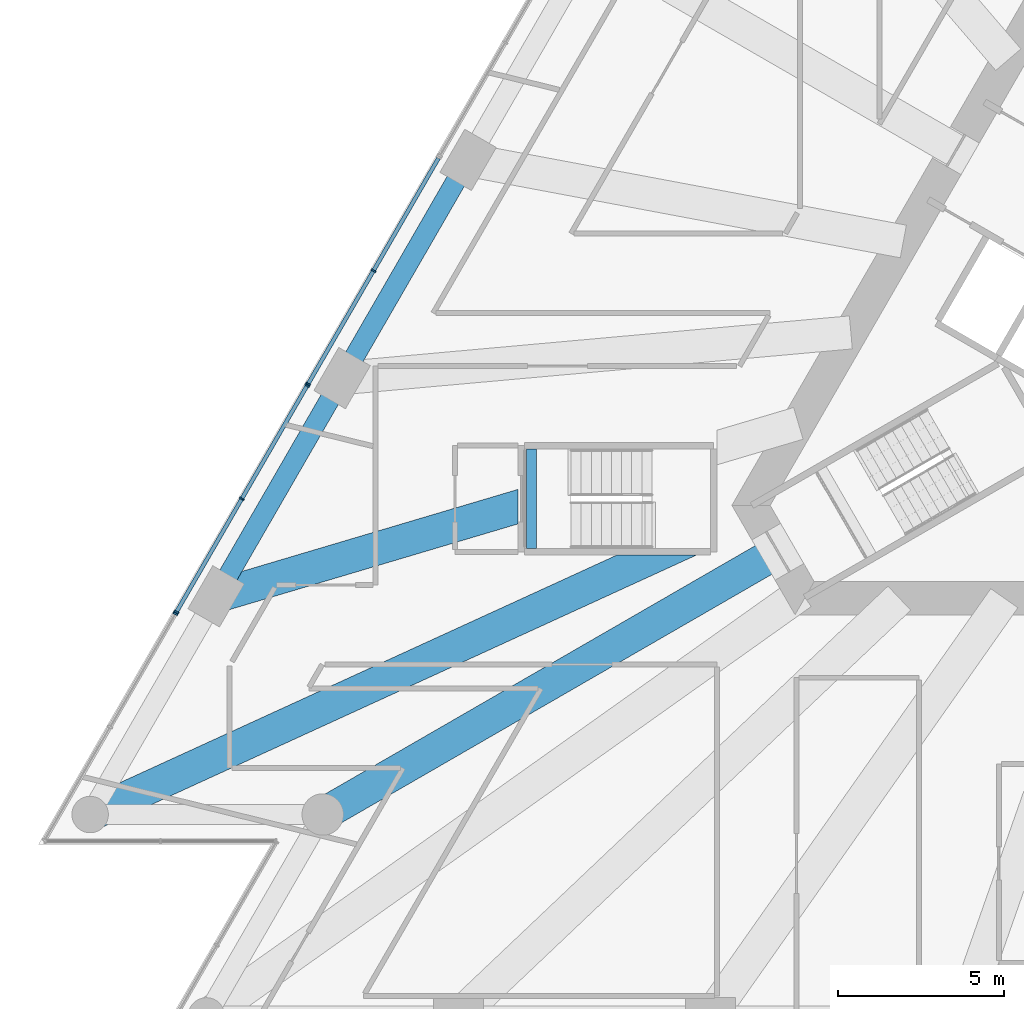
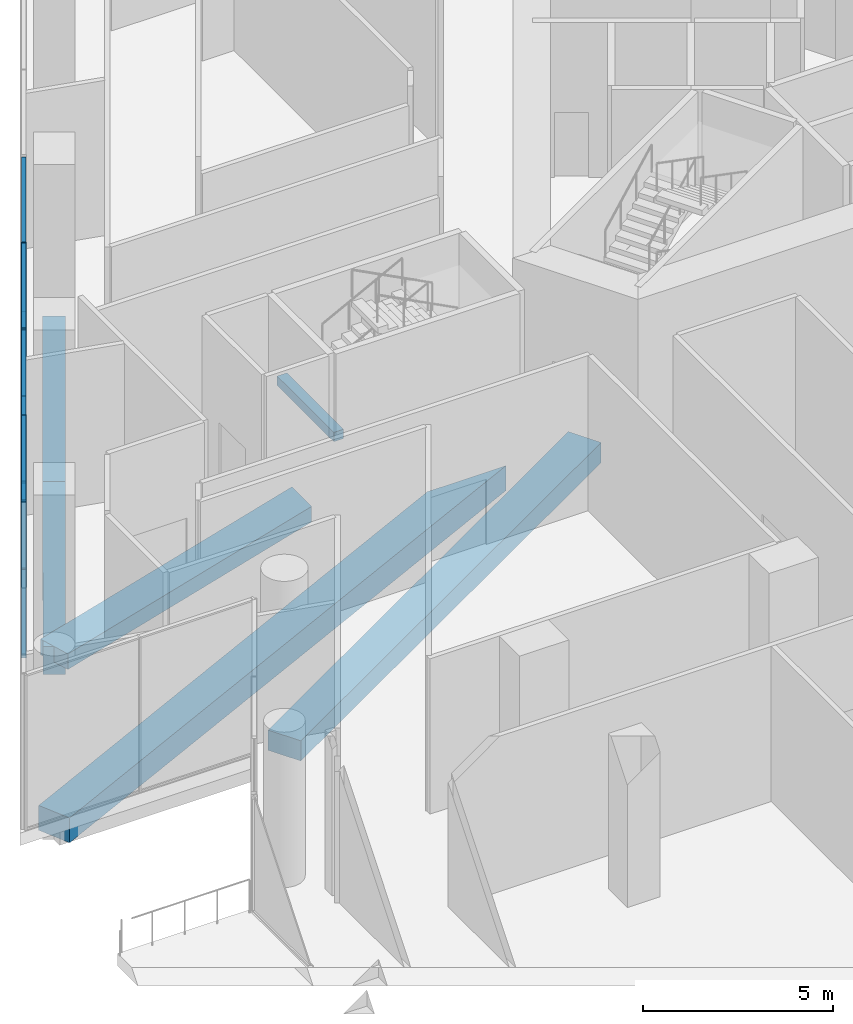
# One storey, part 9 of 32: 14 members, 6 beams, 3 elements without a shape of their own.
"""IFC4 building model written with IfcOpenShell, lengths in metres."""

import ifcopenshell
import ifcopenshell.guid

model = None  # the IFC model being written
_history = None  # IfcOwnerHistory: only IFC2X3 demands one
_inside = {}  # id of a spatial element -> (the spatial element, [elements in it])
_under = {}  # id of a project, library or spatial element -> (it, [spatial elements below it])
_declared = {}  # id of a project -> (the project, [libraries it declares])
_typed = {}  # id of a type object -> (the type object, [elements of that type])
_made_of = {}  # id of a material, layer set ... -> (it, [elements and type objects made of it])


def new_model(schema):
    """Start an empty IFC model of exactly this schema.

    Asked for "IFC4X3", IfcOpenShell would pick the latest addendum, in which some entities
    have other attributes; the version numbers below select the first issue.
    IFC2X3 requires an IfcOwnerHistory on every rooted entity: one is made here for all.
    """
    global model, _history
    if schema == "IFC4X3":
        model = ifcopenshell.file(schema_version=(4, 3, 0, 0))
    else:
        model = ifcopenshell.file(schema=schema)
    _inside.clear()
    _under.clear()
    _declared.clear()
    _typed.clear()
    _made_of.clear()
    _history = None
    if model.schema == "IFC2X3":
        org = make("IfcOrganization", Name="unknown")
        user = make(
            "IfcPersonAndOrganization",
            ThePerson=make("IfcPerson", FamilyName="unknown"),
            TheOrganization=org,
        )
        app = make(
            "IfcApplication",
            ApplicationDeveloper=org,
            Version="unknown",
            ApplicationFullName="unknown",
            ApplicationIdentifier="unknown",
        )
        _history = make(
            "IfcOwnerHistory",
            OwningUser=user,
            OwningApplication=app,
            ChangeAction="ADDED",
            CreationDate=0,
        )
    return model


def make(cls, **values):
    """One entity of the class cls with the attributes given. An attribute that is None is left unset."""
    return model.create_entity(
        cls, **{name: value for name, value in values.items() if value is not None}
    )


def rooted(cls, **values):
    """An entity with a GlobalId (a new one), such as an element, a storey or a relation."""
    return make(cls, GlobalId=ifcopenshell.guid.new(), OwnerHistory=_history, **values)


def si_unit(unit_type, name, prefix=None):
    """IfcSIUnit, for example si_unit("LENGTHUNIT", "METRE", prefix="MILLI")."""
    return make("IfcSIUnit", UnitType=unit_type, Prefix=prefix, Name=name)


def assignment(units):
    """IfcUnitAssignment: the units of a project."""
    return None if units is None else make("IfcUnitAssignment", Units=units)


def point(xyz):
    """IfcCartesianPoint."""
    return None if xyz is None else make("IfcCartesianPoint", Coordinates=xyz)


def direction(xyz):
    """IfcDirection."""
    return None if xyz is None else make("IfcDirection", DirectionRatios=xyz)


def frame(location, z_axis=None, x_axis=None):
    """IfcAxis2Placement3D, a coordinate frame: its origin and axes. An axis left out is left unset."""
    return make(
        "IfcAxis2Placement3D",
        Location=point(location),
        Axis=direction(z_axis),
        RefDirection=direction(x_axis),
    )


def frame_2d(location, x_axis=None):
    """IfcAxis2Placement2D, a coordinate frame in the plane: its origin and x axis."""
    return make(
        "IfcAxis2Placement2D", Location=point(location), RefDirection=direction(x_axis)
    )


def origin():
    """The frame at (0, 0, 0) with its axes left unset."""
    return frame((0.0, 0.0, 0.0))


def origin_2d():
    """The frame at (0, 0) in the plane with its x axis left unset."""
    return frame_2d((0.0, 0.0))


def place(relative_to, where):
    """IfcLocalPlacement: puts the frame where relative to a parent placement (None: the world)."""
    return make(
        "IfcLocalPlacement", PlacementRelTo=relative_to, RelativePlacement=where
    )


def context(
    kind, dimensions, precision=None, world=None, true_north=None, identifier=None
):
    """IfcGeometricRepresentationContext, for example the 3D "Model" context."""
    return make(
        "IfcGeometricRepresentationContext",
        ContextIdentifier=identifier,
        ContextType=kind,
        CoordinateSpaceDimension=dimensions,
        Precision=precision,
        WorldCoordinateSystem=world,
        TrueNorth=true_north,
    )


def subcontext(parent, identifier, kind, view, scale=None):
    """IfcGeometricRepresentationSubContext, for example "Body" below "Model"."""
    return make(
        "IfcGeometricRepresentationSubContext",
        ContextIdentifier=identifier,
        ContextType=kind,
        ParentContext=parent,
        TargetScale=scale,
        TargetView=view,
    )


def project(units=None, contexts=None):
    """IfcProject with its units and contexts."""
    return rooted(
        "IfcProject",
        Name="project",
        RepresentationContexts=contexts,
        UnitsInContext=assignment(units),
    )


def spatial(cls, under=None, at=None, **own):
    """A site, building, storey or space (cls), placed at a placement, below another one or the project."""
    s = rooted(cls, ObjectPlacement=at, **own)
    if under is not None:
        _under.setdefault(under.id(), (under, []))[1].append(s)
    return s


def profile(cls, at=None, kind="AREA", **sizes):
    """A parametric profile (cls). Its sizes go by their IFC names, for example OverallWidth=200.0."""
    return make(cls, ProfileType=kind, Position=at, **sizes)


def rectangle(**sizes):
    """IfcRectangleProfileDef."""
    return profile("IfcRectangleProfileDef", **sizes)


def extrude(swept, where, along, depth):
    """IfcExtrudedAreaSolid: the profile swept, set in the frame where, extruded along a direction by depth."""
    return make(
        "IfcExtrudedAreaSolid",
        SweptArea=swept,
        Position=where,
        ExtrudedDirection=direction(along),
        Depth=depth,
    )


def clip(a, b, op="DIFFERENCE"):
    """IfcBooleanClippingResult: the solid a cut by the half space b."""
    return make(
        "IfcBooleanClippingResult", Operator=op, FirstOperand=a, SecondOperand=b
    )


def halfspace(plane, agree):
    """IfcHalfSpaceSolid: all space on one side of the plane z = 0 of the frame plane."""
    return make(
        "IfcHalfSpaceSolid",
        BaseSurface=make("IfcPlane", Position=plane),
        AgreementFlag=agree,
    )


def shape(context_of_items, identifier, shape_type, items):
    """IfcShapeRepresentation: the items that make up one representation, for example the "Body"."""
    return make(
        "IfcShapeRepresentation",
        ContextOfItems=context_of_items,
        RepresentationIdentifier=identifier,
        RepresentationType=shape_type,
        Items=items,
    )


def material(Name=None, Category=None):
    """IfcMaterial."""
    return make("IfcMaterial", Name=Name, Category=Category)


def layer(
    of_material, thickness, ventilated=None, Name=None, Category=None, Priority=None
):
    """IfcMaterialLayer: one layer of a wall or slab, of a material (None: an air gap)."""
    return make(
        "IfcMaterialLayer",
        Material=of_material,
        LayerThickness=thickness,
        IsVentilated=ventilated,
        Name=Name,
        Category=Category,
        Priority=Priority,
    )


def layer_set(layers, Name=None):
    """IfcMaterialLayerSet."""
    return make("IfcMaterialLayerSet", MaterialLayers=layers, LayerSetName=Name)


def material_profile(
    of_material, cross_section, Name=None, Category=None, Priority=None
):
    """IfcMaterialProfile: a cross section and its material."""
    return make(
        "IfcMaterialProfile",
        Name=Name,
        Material=of_material,
        Profile=cross_section,
        Priority=Priority,
        Category=Category,
    )


def profile_set(profiles, Name=None, composite=None):
    """IfcMaterialProfileSet."""
    return make(
        "IfcMaterialProfileSet",
        Name=Name,
        MaterialProfiles=profiles,
        CompositeProfile=composite,
    )


def made_of(thing, what):
    """Note that an element or type object is made of a material, layer set ...; save() writes the relation."""
    if what is not None:
        _made_of.setdefault(what.id(), (what, []))[1].append(thing)
    return thing


def type_object(cls, material=None, **own):
    """A type object (cls), such as IfcWallType, which elements share."""
    return made_of(rooted(cls, **own), material)


def element(
    cls,
    number,
    at=None,
    inside=None,
    cuts=None,
    type_object=None,
    material=None,
    context=None,
    identifier="Body",
    shape_type=None,
    held_by="IfcProductDefinitionShape",
    body=None,
    shapes=None,
    **own,
):
    """One element of the class cls, such as IfcWall. Its Tag is "e" and its number.

    at: its placement. inside: the storey or other place that contains it. cuts: it is an
    opening in that element (IfcRelVoidsElement). A single representation is given by context,
    identifier, shape_type and body (its items); several are given by shapes. held_by: the class
    of the entity that holds the representations. save() writes the other relations.
    """
    e = rooted(cls, Tag="e%d" % number, ObjectPlacement=at, **own)
    if body is not None:
        shapes = [shape(context, identifier, shape_type, body)]
    if shapes is not None:
        e.Representation = make(held_by, Representations=shapes)
    if inside is not None:
        _inside.setdefault(inside.id(), (inside, []))[1].append(e)
    if cuts is not None:
        rooted(
            "IfcRelVoidsElement", RelatingBuildingElement=cuts, RelatedOpeningElement=e
        )
    if type_object is not None:
        _typed.setdefault(type_object.id(), (type_object, []))[1].append(e)
    return made_of(e, material)


def aggregate(whole, parts):
    """IfcRelAggregates: a whole, such as a stair, and the parts it consists of."""
    return rooted("IfcRelAggregates", RelatingObject=whole, RelatedObjects=parts)


def save(model, path):
    """Write the relations noted so far, then the file.

    IfcRelAggregates (storeys below a building ...), IfcRelContainedInSpatialStructure (elements
    in a storey), IfcRelDefinesByType, IfcRelAssociatesMaterial and IfcRelDeclares: one each for
    every whole, place, type object, material and project.
    """
    for whole, parts in _under.values():
        aggregate(whole, parts)
    for where, things in _inside.values():
        rooted(
            "IfcRelContainedInSpatialStructure",
            RelatedElements=things,
            RelatingStructure=where,
        )
    for kind, things in _typed.values():
        rooted("IfcRelDefinesByType", RelatedObjects=things, RelatingType=kind)
    for what, things in _made_of.values():
        rooted("IfcRelAssociatesMaterial", RelatedObjects=things, RelatingMaterial=what)
    for by, libraries in _declared.values():
        rooted("IfcRelDeclares", RelatingContext=by, RelatedDefinitions=libraries)
    model.write(path)


model = new_model("IFC4")

# Units and contexts
model_context = context("Model", 3, precision=1e-05, world=origin(), true_north=direction((0.0, 1.0)))
body_context = subcontext(model_context, "Body", "Model", "MODEL_VIEW")
ifc_project = project(units=[si_unit("LENGTHUNIT", "METRE"), si_unit("AREAUNIT", "SQUARE_METRE"), si_unit("VOLUMEUNIT", "CUBIC_METRE"), si_unit("PLANEANGLEUNIT", "RADIAN"), si_unit("MASSUNIT", "GRAM", prefix="KILO")], contexts=[model_context])

# Site, building, storey
site_placement = place(None, origin())
site = spatial("IfcSite", under=ifc_project, at=site_placement, CompositionType="ELEMENT")
building_placement = place(site_placement, origin())
building = spatial("IfcBuilding", under=site, at=building_placement, Name="Triada Interchange Tower", CompositionType="ELEMENT")
storey_placement = place(building_placement, frame((0.0, 0.0, 14.5)))
storey = spatial("IfcBuildingStorey", under=building, at=storey_placement, Name="L02", CompositionType="ELEMENT", Elevation=14.5)

# Beam
ifc_material_1 = material(Name="Concrete C35/45", Category="concrete")
ifc_material_profile_1 = material_profile(ifc_material_1, rectangle(XDim=0.300048828125, YDim=0.300048828125, at=origin_2d()), Name="RC 300x300")
ifc_profile_set_1 = profile_set([ifc_material_profile_1], Name="Concrete C35/45")
beam_type_1 = type_object("IfcBeamType", Name="Landing support beam RC 300x300", PredefinedType="BEAM", material=ifc_profile_set_1)
beam_1_placement = place(storey_placement, frame((-20.60009765625, -4.5, 2.191162109375), z_axis=(0.0, -1.0, 0.0), x_axis=(1.0, 0.0, 0.0)))
element("IfcBeam", 1, at=beam_1_placement, inside=storey, type_object=beam_type_1, Name="Landing support beam S02-6 1", PredefinedType="BEAM", context=body_context, shape_type="SweptSolid", body=[
    extrude(rectangle(XDim=0.300048828125, YDim=0.300048828125, at=origin_2d()), origin(), (0.0, 0.0, 1.0), 3.0),
])

# Curtain wall, members
ifc_material_2 = material(Name="Aluminium framed glazing", Category="aluminium")
ifc_layer = layer(ifc_material_2, 0.199951171875)
ifc_layer_set = layer_set([ifc_layer], Name="Curtain wall Retail shopfront")
curtain_wall_type = type_object("IfcCurtainWallType", Name="Curtain wall Retail shopfront", PredefinedType="NOTDEFINED", material=ifc_layer_set)
curtain_wall_1_placement = place(storey_placement, origin())
curtain_wall_1 = element("IfcCurtainWall", 2, at=curtain_wall_1_placement, inside=storey, type_object=curtain_wall_type, Name="Retail shopfront CW028 L02", PredefinedType="NOTDEFINED")
ifc_material_3 = material(Name="Aluminium", Category="aluminium")
ifc_material_profile_2 = material_profile(ifc_material_3, rectangle(XDim=0.14990234375, YDim=0.050048828125, at=origin_2d()), Name="Aluminium mullion")
ifc_profile_set_2 = profile_set([ifc_material_profile_2], Name="Aluminium")
member_type_1 = type_object("IfcMemberType", Name="Mullion Retail shopfront 150x50", PredefinedType="MULLION", material=ifc_profile_set_2)
member_1_placement = place(storey_placement, frame((-25.3583984375, 0.8779296875, 0.0), z_axis=(0.0, 0.0, 1.0), x_axis=(0.866055473648, -0.499947913852, 0.0)))
member_1 = element("IfcMember", 3, at=member_1_placement, type_object=member_type_1, Name="CW028 mullion 2", PredefinedType="MULLION", context=body_context, shape_type="SweptSolid", body=[
    extrude(rectangle(XDim=0.14990234375, YDim=0.050048828125, at=origin_2d()), origin(), (0.0, 0.0, 1.0), 5.0),
])
member_2_placement = place(storey_placement, frame((-27.32958984375, -2.536376953125, 0.0), z_axis=(0.0, 0.0, 1.0), x_axis=(0.866055473648, -0.499947913852, 0.0)))
member_2 = element("IfcMember", 4, at=member_2_placement, type_object=member_type_1, Name="CW028 mullion 3", PredefinedType="MULLION", context=body_context, shape_type="SweptSolid", body=[
    extrude(rectangle(XDim=0.14990234375, YDim=0.050048828125, at=origin_2d()), origin(), (0.0, 0.0, 1.0), 5.0),
])

curtain_wall_2_placement = place(storey_placement, origin())
curtain_wall_2 = element("IfcCurtainWall", 5, at=curtain_wall_2_placement, inside=storey, type_object=curtain_wall_type, Name="Retail shopfront CW029 L02", PredefinedType="NOTDEFINED")
member_3_placement = place(storey_placement, frame((-27.360595703125, -2.588623046875, 0.0), z_axis=(0.0, 0.0, 1.0), x_axis=(0.866055473648, -0.499947913852, 0.0)))
member_3 = element("IfcMember", 6, at=member_3_placement, type_object=member_type_1, Name="CW029 mullion 1", PredefinedType="MULLION", context=body_context, shape_type="SweptSolid", body=[
    extrude(rectangle(XDim=0.14990234375, YDim=0.050048828125, at=origin_2d()), origin(), (0.0, 0.0, 1.0), 5.0),
])
member_4_placement = place(storey_placement, frame((-29.33154296875, -6.0029296875, 0.0), z_axis=(0.0, 0.0, 1.0), x_axis=(0.866055473648, -0.499947913852, 0.0)))
member_4 = element("IfcMember", 7, at=member_4_placement, type_object=member_type_1, Name="CW029 mullion 2", PredefinedType="MULLION", context=body_context, shape_type="SweptSolid", body=[
    extrude(rectangle(XDim=0.14990234375, YDim=0.050048828125, at=origin_2d()), origin(), (0.0, 0.0, 1.0), 5.0),
])
member_5_placement = place(storey_placement, frame((-31.302490234375, -9.417236328125, 0.0), z_axis=(0.0, 0.0, 1.0), x_axis=(0.866055473648, -0.499947913852, 0.0)))
member_5 = element("IfcMember", 8, at=member_5_placement, type_object=member_type_1, Name="CW029 mullion 3", PredefinedType="MULLION", context=body_context, shape_type="SweptSolid", body=[
    extrude(rectangle(XDim=0.14990234375, YDim=0.050048828125, at=origin_2d()), origin(), (0.0, 0.0, 1.0), 5.0),
])

# Curtain wall, member
curtain_wall_3_placement = place(storey_placement, origin())
curtain_wall_3 = element("IfcCurtainWall", 9, at=curtain_wall_3_placement, inside=storey, type_object=curtain_wall_type, Name="Retail shopfront CW030 L02", PredefinedType="NOTDEFINED")
member_6_placement = place(storey_placement, frame((-31.33349609375, -9.4697265625, 0.0), z_axis=(0.0, 0.0, 1.0), x_axis=(0.86604927658, -0.499958648825, 0.0)))
member_6 = element("IfcMember", 10, at=member_6_placement, type_object=member_type_1, Name="CW030 mullion 1", PredefinedType="MULLION", context=body_context, shape_type="SweptSolid", body=[
    extrude(rectangle(XDim=0.14990234375, YDim=0.050048828125, at=origin_2d()), origin(), (0.0, 0.0, 1.0), 5.0),
])
aggregate(curtain_wall_3, [member_6])

# Beams
ifc_material_4 = material(Name="Concrete C50/60", Category="concrete")
ifc_material_profile_3 = material_profile(ifc_material_4, rectangle(XDim=1.0, YDim=0.5, at=origin_2d()), Name="RC 1000x500")
ifc_profile_set_3 = profile_set([ifc_material_profile_3], Name="Concrete C50/60")
beam_type_2 = type_object("IfcBeamType", Name="Radial band beam P RC 1000x500", PredefinedType="BEAM", material=ifc_profile_set_3)
beam_2_placement = place(storey_placement, frame((-30.10498046875, -8.944091796875, -0.64990234375), z_axis=(0.958593857604, 0.284776783049, 0.0), x_axis=(-0.284776783049, 0.958593857604, 0.0)))
element("IfcBeam", 11, at=beam_2_placement, inside=storey, type_object=beam_type_2, Name="Radial band beam BP08A L02", PredefinedType="BEAM", context=body_context, shape_type="Clipping", body=[
    clip(extrude(rectangle(XDim=1.0, YDim=0.5, at=origin_2d()), origin(), (0.0, 0.0, 1.0), 10.998291015625), halfspace(frame((-1.400146484375, -13.85009765625, 9.082275390625), z_axis=(-0.284776783049, 0.0, 0.958593857604), x_axis=(0.0, 1.0, 0.0)), False)),
])
ifc_material_profile_4 = material_profile(ifc_material_4, rectangle(XDim=1.0, YDim=0.64990234375, at=origin_2d()), Name="RC 1000x650")
ifc_profile_set_4 = profile_set([ifc_material_profile_4], Name="Concrete C50/60")
beam_type_3 = type_object("IfcBeamType", Name="Radial band beam P RC 1000x650", PredefinedType="BEAM", material=ifc_profile_set_4)
beam_3_placement = place(storey_placement, frame((-26.889892578125, -15.52490234375, -0.72509765625), z_axis=(0.866020130944, 0.500009132716, 0.0), x_axis=(-0.500009132716, 0.866020130944, 0.0)))
element("IfcBeam", 12, at=beam_3_placement, inside=storey, type_object=beam_type_3, Name="Radial band beam BP10 L02", PredefinedType="BEAM", context=body_context, shape_type="SweptSolid", body=[
    extrude(rectangle(XDim=1.0, YDim=0.64990234375, at=origin_2d()), origin(), (0.0, 0.0, 1.0), 15.849365234375),
])
ifc_material_profile_5 = material_profile(ifc_material_4, rectangle(XDim=1.0, YDim=0.800048828125, at=origin_2d()), Name="RC 1000x800")
ifc_profile_set_5 = profile_set([ifc_material_profile_5], Name="Concrete C50/60")
beam_type_4 = type_object("IfcBeamType", Name="Radial band beam P RC 1000x800", PredefinedType="BEAM", material=ifc_profile_set_5)
beam_4_placement = place(storey_placement, frame((-33.905029296875, -15.52490234375, -0.800048828125), z_axis=(0.909200707798, 0.41635810661, 0.0), x_axis=(-0.41635810661, 0.909200707798, 0.0)))
element("IfcBeam", 13, at=beam_4_placement, inside=storey, type_object=beam_type_4, Name="Radial band beam BP09A L02", PredefinedType="BEAM", context=body_context, shape_type="Clipping", body=[
    clip(extrude(rectangle(XDim=1.0, YDim=0.800048828125, at=origin_2d()), origin(), (0.0, 0.0, 1.0), 20.294921875), halfspace(frame((-0.7568359375, -13.699951171875, 20.446533203125), z_axis=(0.909200707798, 0.0, 0.41635810661), x_axis=(0.0, -1.0, 0.0)), False)),
])
ifc_material_profile_6 = material_profile(ifc_material_4, rectangle(XDim=0.60009765625, YDim=0.89990234375, at=origin_2d()), Name="RC 600x900")
ifc_profile_set_6 = profile_set([ifc_material_profile_6], Name="Concrete C50/60")
beam_type_5 = type_object("IfcBeamType", Name="Spandrel beam P RC 600x900", PredefinedType="BEAM", material=ifc_profile_set_6)
beam_5_placement = place(storey_placement, frame((-22.506103515625, 4.218994140625, -0.85009765625), z_axis=(-0.500022797313, -0.86601224135, 0.0), x_axis=(0.86601224135, -0.500022797313, 0.0)))
element("IfcBeam", 14, at=beam_5_placement, inside=storey, type_object=beam_type_5, Name="Spandrel beam EP06 L02", PredefinedType="BEAM", context=body_context, shape_type="SweptSolid", body=[
    extrude(rectangle(XDim=0.60009765625, YDim=0.89990234375, at=origin_2d()), origin(), (0.0, 0.0, 1.0), 7.599365234375),
])
beam_6_placement = place(storey_placement, frame((-26.305908203125, -2.362060546875, -0.85009765625), z_axis=(-0.499894869559, -0.866086092366, 0.0), x_axis=(0.866086092366, -0.499894869559, 0.0)))
element("IfcBeam", 15, at=beam_6_placement, inside=storey, type_object=beam_type_5, Name="Spandrel beam EP07 L02", PredefinedType="BEAM", context=body_context, shape_type="SweptSolid", body=[
    extrude(rectangle(XDim=0.60009765625, YDim=0.89990234375, at=origin_2d()), origin(), (0.0, 0.0, 1.0), 7.599853515625),
])

# Member
ifc_material_profile_7 = material_profile(ifc_material_3, rectangle(XDim=0.1201171875, YDim=0.050048828125, at=origin_2d()), Name="Aluminium transom")
ifc_profile_set_7 = profile_set([ifc_material_profile_7], Name="Aluminium")
member_type_2 = type_object("IfcMemberType", Name="Transom Retail shopfront 120x50", PredefinedType="USERDEFINED", material=ifc_profile_set_7)
member_7_placement = place(storey_placement, frame((-23.39990234375, 4.270751953125, 0.02490234375), z_axis=(-0.499950487857, -0.866053987747, 0.0), x_axis=(0.866053987747, -0.499950487857, 0.0)))
member_7 = element("IfcMember", 16, at=member_7_placement, type_object=member_type_2, Name="CW028 transom 1.1", ObjectType="TRANSOM", PredefinedType="USERDEFINED", context=body_context, shape_type="SweptSolid", body=[
    extrude(rectangle(XDim=0.1201171875, YDim=0.050048828125, at=origin_2d()), origin(), (0.0, 0.0, 1.0), 3.892578125),
])

member_8_placement = place(storey_placement, frame((-23.39990234375, 4.270751953125, 4.97509765625), z_axis=(-0.499950487857, -0.866053987747, 0.0), x_axis=(0.866053987747, -0.499950487857, 0.0)))
member_8 = element("IfcMember", 17, at=member_8_placement, type_object=member_type_2, Name="CW028 transom 1.2", ObjectType="TRANSOM", PredefinedType="USERDEFINED", context=body_context, shape_type="SweptSolid", body=[
    extrude(rectangle(XDim=0.1201171875, YDim=0.050048828125, at=origin_2d()), origin(), (0.0, 0.0, 1.0), 3.892578125),
])

member_9_placement = place(storey_placement, frame((-25.37109375, 0.8564453125, 0.02490234375), z_axis=(-0.499903441657, -0.866081144593, 0.0), x_axis=(0.866081144593, -0.499903441657, 0.0)))
member_9 = element("IfcMember", 18, at=member_9_placement, type_object=member_type_2, Name="CW028 transom 2.1", ObjectType="TRANSOM", PredefinedType="USERDEFINED", context=body_context, shape_type="SweptSolid", body=[
    extrude(rectangle(XDim=0.1201171875, YDim=0.050048828125, at=origin_2d()), origin(), (0.0, 0.0, 1.0), 3.892333984375),
])

member_10_placement = place(storey_placement, frame((-25.37109375, 0.8564453125, 4.97509765625), z_axis=(-0.499903441657, -0.866081144593, 0.0), x_axis=(0.866081144593, -0.499903441657, 0.0)))
member_10 = element("IfcMember", 19, at=member_10_placement, type_object=member_type_2, Name="CW028 transom 2.2", ObjectType="TRANSOM", PredefinedType="USERDEFINED", context=body_context, shape_type="SweptSolid", body=[
    extrude(rectangle(XDim=0.1201171875, YDim=0.050048828125, at=origin_2d()), origin(), (0.0, 0.0, 1.0), 3.892333984375),
])

aggregate(curtain_wall_1, [member_1, member_2, member_7, member_8, member_9, member_10])

member_11_placement = place(storey_placement, frame((-27.373046875, -2.6103515625, 0.02490234375), z_axis=(-0.499950487857, -0.866053987747, 0.0), x_axis=(0.866053987747, -0.499950487857, 0.0)))
member_11 = element("IfcMember", 20, at=member_11_placement, type_object=member_type_2, Name="CW029 transom 1.1", ObjectType="TRANSOM", PredefinedType="USERDEFINED", context=body_context, shape_type="SweptSolid", body=[
    extrude(rectangle(XDim=0.1201171875, YDim=0.050048828125, at=origin_2d()), origin(), (0.0, 0.0, 1.0), 3.892578125),
])

member_12_placement = place(storey_placement, frame((-27.373046875, -2.6103515625, 4.97509765625), z_axis=(-0.499950487857, -0.866053987747, 0.0), x_axis=(0.866053987747, -0.499950487857, 0.0)))
member_12 = element("IfcMember", 21, at=member_12_placement, type_object=member_type_2, Name="CW029 transom 1.2", ObjectType="TRANSOM", PredefinedType="USERDEFINED", context=body_context, shape_type="SweptSolid", body=[
    extrude(rectangle(XDim=0.1201171875, YDim=0.050048828125, at=origin_2d()), origin(), (0.0, 0.0, 1.0), 3.892578125),
])

member_13_placement = place(storey_placement, frame((-29.343994140625, -6.024658203125, 0.02490234375), z_axis=(-0.499950487857, -0.866053987747, 0.0), x_axis=(0.866053987747, -0.499950487857, 0.0)))
member_13 = element("IfcMember", 22, at=member_13_placement, type_object=member_type_2, Name="CW029 transom 2.1", ObjectType="TRANSOM", PredefinedType="USERDEFINED", context=body_context, shape_type="SweptSolid", body=[
    extrude(rectangle(XDim=0.1201171875, YDim=0.050048828125, at=origin_2d()), origin(), (0.0, 0.0, 1.0), 3.892578125),
])

member_14_placement = place(storey_placement, frame((-29.343994140625, -6.024658203125, 4.97509765625), z_axis=(-0.499950487857, -0.866053987747, 0.0), x_axis=(0.866053987747, -0.499950487857, 0.0)))
member_14 = element("IfcMember", 23, at=member_14_placement, type_object=member_type_2, Name="CW029 transom 2.2", ObjectType="TRANSOM", PredefinedType="USERDEFINED", context=body_context, shape_type="SweptSolid", body=[
    extrude(rectangle(XDim=0.1201171875, YDim=0.050048828125, at=origin_2d()), origin(), (0.0, 0.0, 1.0), 3.892578125),
])

aggregate(curtain_wall_2, [member_3, member_4, member_5, member_11, member_12, member_13, member_14])

save(model, "model.ifc")
